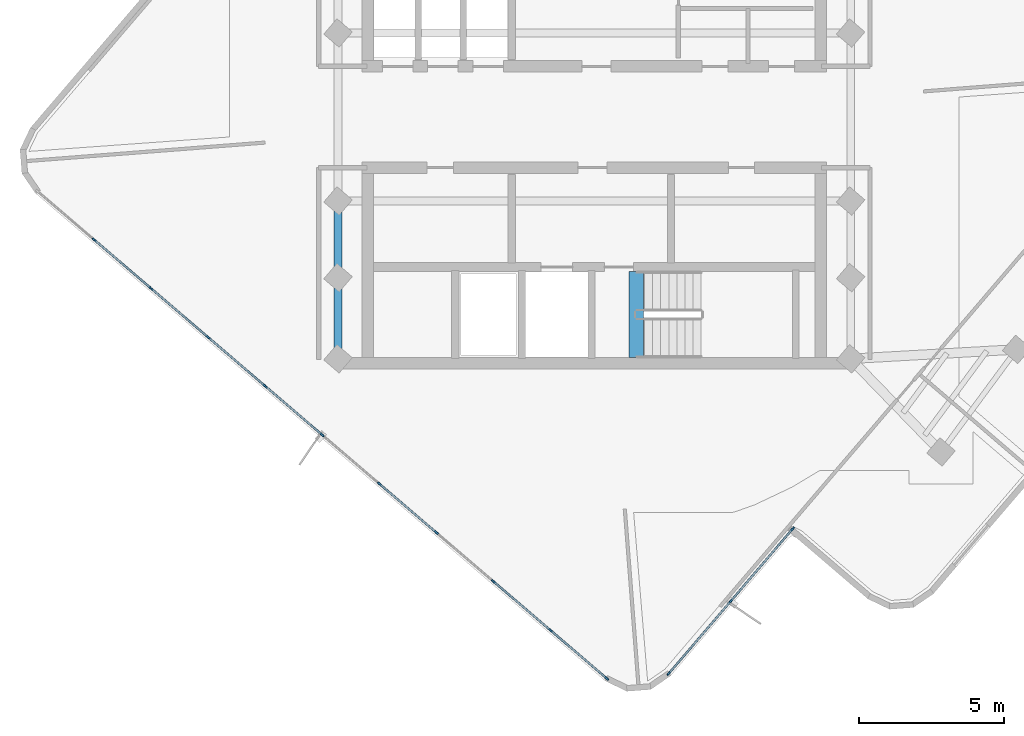
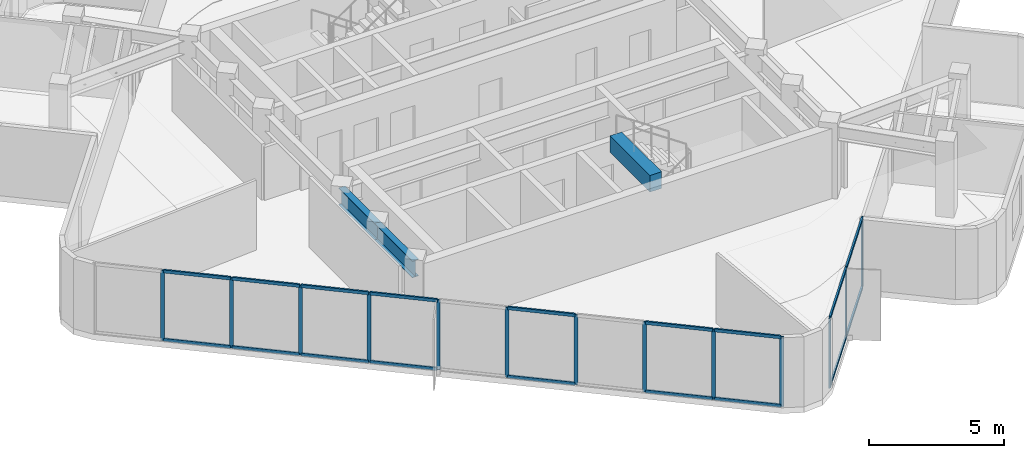
# One storey, part 2 of 11: 31 members, 3 beams, 2 elements without a shape of their own.
"""IFC4 building model written with IfcOpenShell, lengths in metres."""

from ifc_helpers import new_model, si_unit, direction, frame, origin, origin_2d, place, context, subcontext, project, spatial, rectangle, i_section, extrude, material, layer, layer_set, material_profile, profile_set, type_object, element, aggregate, save


model = new_model("IFC4")

# Units and contexts
model_context = context("Model", 3, precision=1e-05, world=origin(), true_north=direction((0.0, 1.0)))
body_context = subcontext(model_context, "Body", "Model", "MODEL_VIEW")
ifc_project = project(units=[si_unit("LENGTHUNIT", "METRE"), si_unit("AREAUNIT", "SQUARE_METRE"), si_unit("VOLUMEUNIT", "CUBIC_METRE"), si_unit("PLANEANGLEUNIT", "RADIAN"), si_unit("MASSUNIT", "GRAM", prefix="KILO")], contexts=[model_context])

# Site, building, storey
site_placement = place(None, origin())
site = spatial("IfcSite", under=ifc_project, at=site_placement, CompositionType="ELEMENT")
building_placement = place(site_placement, origin())
building = spatial("IfcBuilding", under=site, at=building_placement, Name="Solmarez Civic Tower", CompositionType="ELEMENT")
storey_placement = place(building_placement, frame((0.0, 0.0, 250.919921875)))
storey = spatial("IfcBuildingStorey", under=building, at=storey_placement, Name="L67", CompositionType="ELEMENT", Elevation=250.919921875)

# Beams
ifc_material_1 = material(Name="Concrete C50/60", Category="concrete")
ifc_material_profile_1 = material_profile(ifc_material_1, rectangle(XDim=0.5, YDim=0.75, at=origin_2d()), Name="RC500X750")
ifc_profile_set_1 = profile_set([ifc_material_profile_1], Name="Concrete C50/60")
beam_type_1 = type_object("IfcBeamType", Name="BM-PR-RC500X750", PredefinedType="BEAM", material=ifc_profile_set_1)
beam_1_placement = place(storey_placement, frame((1.449951171875, -8.300048828125, 3.052978515625), z_axis=(0.0, 1.0, 0.0), x_axis=(-1.0, 0.0, 0.0)))
element("IfcBeam", 1, at=beam_1_placement, inside=storey, type_object=beam_type_1, Name="L67 South Stair Threshold Beam", PredefinedType="BEAM", context=body_context, shape_type="SweptSolid", body=[
    extrude(rectangle(XDim=0.5, YDim=0.75, at=origin_2d()), origin(), (0.0, 0.0, 1.0), 2.9599609375),
])
ifc_material_2 = material(Name="Steel S355", Category="steel")
ifc_material_profile_2 = material_profile(ifc_material_2, i_section(OverallWidth=0.26708984375, OverallDepth=0.761962890625, WebThickness=0.014404296875, FlangeThickness=0.021484375, at=origin_2d()), Name="W30X116")
ifc_profile_set_2 = profile_set([ifc_material_profile_2], Name="Steel S355")
beam_type_2 = type_object("IfcBeamType", Name="BM-PR-W30X116", PredefinedType="BEAM", material=ifc_profile_set_2)
beam_2_placement = place(storey_placement, frame((-8.85009765625, -8.35009765625, 2.779052734375), z_axis=(0.0, 1.0, 0.0), x_axis=(-1.0, 0.0, 0.0)))
element("IfcBeam", 2, at=beam_2_placement, inside=storey, type_object=beam_type_2, Name="L67 Primary Floor Beam BM-L67-HC12-HC1", PredefinedType="BEAM", context=body_context, shape_type="SweptSolid", body=[
    extrude(i_section(OverallWidth=0.26708984375, OverallDepth=0.761962890625, WebThickness=0.014404296875, FlangeThickness=0.021484375, at=origin_2d()), origin(), (0.0, 0.0, 1.0), 2.800048828125),
])
beam_3_placement = place(storey_placement, frame((-8.85009765625, -5.550048828125, 2.779052734375), z_axis=(0.0, 1.0, 0.0), x_axis=(-1.0, 0.0, 0.0)))
element("IfcBeam", 3, at=beam_3_placement, inside=storey, type_object=beam_type_2, Name="L67 Primary Floor Beam BM-L67-HC1-HC2", PredefinedType="BEAM", context=body_context, shape_type="SweptSolid", body=[
    extrude(i_section(OverallWidth=0.26708984375, OverallDepth=0.761962890625, WebThickness=0.014404296875, FlangeThickness=0.021484375, at=origin_2d()), origin(), (0.0, 0.0, 1.0), 2.650146484375),
])

# Curtain wall, members
ifc_material_3 = material(Name="Bronze Anodised Aluminium EN AW-6063 T6", Category="aluminium")
ifc_layer = layer(ifc_material_3, 0.1650390625)
ifc_layer_set = layer_set([ifc_layer], Name="Bronze Anodised Aluminium EN AW-6063 T6")
curtain_wall_type = type_object("IfcCurtainWallType", Name="CW-SYS-4", PredefinedType="NOTDEFINED", material=ifc_layer_set)
curtain_wall_1_placement = place(storey_placement, origin())
curtain_wall_1 = element("IfcCurtainWall", 4, at=curtain_wall_1_placement, inside=storey, type_object=curtain_wall_type, Name="L67 Stick-Built Curtain Wall 1", PredefinedType="NOTDEFINED")
ifc_material_profile_3 = material_profile(ifc_material_3, rectangle(XDim=0.06005859375, YDim=0.14990234375, at=origin_2d()), Name="CWM-60X150")
ifc_profile_set_3 = profile_set([ifc_material_profile_3], Name="Bronze Anodised Aluminium EN AW-6063 T6")
member_type_1 = type_object("IfcMemberType", Name="CWM-TYPE-4", PredefinedType="MULLION", material=ifc_profile_set_3)
member_1_placement = place(storey_placement, frame((6.848388671875, -14.220703125, 0.0), z_axis=(0.0, 0.0, 1.0), x_axis=(0.759724119615, -0.650245539835, 0.0)))
member_1 = element("IfcMember", 5, at=member_1_placement, type_object=member_type_1, Name="CWS4 mullion 1", PredefinedType="MULLION", context=body_context, shape_type="SweptSolid", body=[
    extrude(rectangle(XDim=0.06005859375, YDim=0.14990234375, at=origin_2d()), origin(), (0.0, 0.0, 1.0), 3.16015625),
])
member_2_placement = place(storey_placement, frame((4.708984375, -16.720458984375, 0.0), z_axis=(0.0, 0.0, 1.0), x_axis=(0.759724119615, -0.650245539835, 0.0)))
member_2 = element("IfcMember", 6, at=member_2_placement, type_object=member_type_1, Name="CWS4 mullion 2", PredefinedType="MULLION", context=body_context, shape_type="SweptSolid", body=[
    extrude(rectangle(XDim=0.06005859375, YDim=0.14990234375, at=origin_2d()), origin(), (0.0, 0.0, 1.0), 3.16015625),
])
member_3_placement = place(storey_placement, frame((2.569580078125, -19.22021484375, 0.0), z_axis=(0.0, 0.0, 1.0), x_axis=(0.759724119615, -0.650245539835, 0.0)))
member_3 = element("IfcMember", 7, at=member_3_placement, type_object=member_type_1, Name="CWS4 mullion 3", PredefinedType="MULLION", context=body_context, shape_type="SweptSolid", body=[
    extrude(rectangle(XDim=0.06005859375, YDim=0.14990234375, at=origin_2d()), origin(), (0.0, 0.0, 1.0), 3.16015625),
])

curtain_wall_2_placement = place(storey_placement, origin())
curtain_wall_2 = element("IfcCurtainWall", 8, at=curtain_wall_2_placement, inside=storey, type_object=curtain_wall_type, Name="L67 Stick-Built Curtain Wall 2", PredefinedType="NOTDEFINED")
member_4_placement = place(storey_placement, frame((0.42822265625, -19.386474609375, 0.0), z_axis=(0.0, 0.0, 1.0), x_axis=(-0.650244780731, -0.759724769329, 0.0)))
member_4 = element("IfcMember", 9, at=member_4_placement, type_object=member_type_1, Name="CWS4 mullion 1", PredefinedType="MULLION", context=body_context, shape_type="SweptSolid", body=[
    extrude(rectangle(XDim=0.06005859375, YDim=0.14990234375, at=origin_2d()), origin(), (0.0, 0.0, 1.0), 3.16015625),
])
member_5_placement = place(storey_placement, frame((-1.518310546875, -17.720458984375, 0.0), z_axis=(0.0, 0.0, 1.0), x_axis=(-0.650244780731, -0.759724769329, 0.0)))
member_5 = element("IfcMember", 10, at=member_5_placement, type_object=member_type_1, Name="CWS4 mullion 2", PredefinedType="MULLION", context=body_context, shape_type="SweptSolid", body=[
    extrude(rectangle(XDim=0.06005859375, YDim=0.14990234375, at=origin_2d()), origin(), (0.0, 0.0, 1.0), 3.16015625),
])
member_6_placement = place(storey_placement, frame((-3.48779296875, -16.034912109375, 0.0), z_axis=(0.0, 0.0, 1.0), x_axis=(-0.650244780731, -0.759724769329, 0.0)))
member_6 = element("IfcMember", 11, at=member_6_placement, type_object=member_type_1, Name="CWS4 mullion 3", PredefinedType="MULLION", context=body_context, shape_type="SweptSolid", body=[
    extrude(rectangle(XDim=0.06005859375, YDim=0.14990234375, at=origin_2d()), origin(), (0.0, 0.0, 1.0), 3.16015625),
])
member_7_placement = place(storey_placement, frame((-5.457275390625, -14.34912109375, 0.0), z_axis=(0.0, 0.0, 1.0), x_axis=(-0.650244780731, -0.759724769329, 0.0)))
member_7 = element("IfcMember", 12, at=member_7_placement, type_object=member_type_1, Name="CWS4 mullion 4", PredefinedType="MULLION", context=body_context, shape_type="SweptSolid", body=[
    extrude(rectangle(XDim=0.06005859375, YDim=0.14990234375, at=origin_2d()), origin(), (0.0, 0.0, 1.0), 3.16015625),
])
member_8_placement = place(storey_placement, frame((-7.426513671875, -12.66357421875, 0.0), z_axis=(0.0, 0.0, 1.0), x_axis=(-0.650244780731, -0.759724769329, 0.0)))
member_8 = element("IfcMember", 13, at=member_8_placement, type_object=member_type_1, Name="CWS4 mullion 5", PredefinedType="MULLION", context=body_context, shape_type="SweptSolid", body=[
    extrude(rectangle(XDim=0.06005859375, YDim=0.14990234375, at=origin_2d()), origin(), (0.0, 0.0, 1.0), 3.16015625),
])
member_9_placement = place(storey_placement, frame((-9.39599609375, -10.97802734375, 0.0), z_axis=(0.0, 0.0, 1.0), x_axis=(-0.650244780731, -0.759724769329, 0.0)))
member_9 = element("IfcMember", 14, at=member_9_placement, type_object=member_type_1, Name="CWS4 mullion 6", PredefinedType="MULLION", context=body_context, shape_type="SweptSolid", body=[
    extrude(rectangle(XDim=0.06005859375, YDim=0.14990234375, at=origin_2d()), origin(), (0.0, 0.0, 1.0), 3.16015625),
])
member_10_placement = place(storey_placement, frame((-11.365478515625, -9.29248046875, 0.0), z_axis=(0.0, 0.0, 1.0), x_axis=(-0.650244780731, -0.759724769329, 0.0)))
member_10 = element("IfcMember", 15, at=member_10_placement, type_object=member_type_1, Name="CWS4 mullion 7", PredefinedType="MULLION", context=body_context, shape_type="SweptSolid", body=[
    extrude(rectangle(XDim=0.06005859375, YDim=0.14990234375, at=origin_2d()), origin(), (0.0, 0.0, 1.0), 3.16015625),
])
member_11_placement = place(storey_placement, frame((-13.334716796875, -7.606689453125, 0.0), z_axis=(0.0, 0.0, 1.0), x_axis=(-0.650244780731, -0.759724769329, 0.0)))
member_11 = element("IfcMember", 16, at=member_11_placement, type_object=member_type_1, Name="CWS4 mullion 8", PredefinedType="MULLION", context=body_context, shape_type="SweptSolid", body=[
    extrude(rectangle(XDim=0.06005859375, YDim=0.14990234375, at=origin_2d()), origin(), (0.0, 0.0, 1.0), 3.16015625),
])
member_12_placement = place(storey_placement, frame((-15.30419921875, -5.921142578125, 0.0), z_axis=(0.0, 0.0, 1.0), x_axis=(-0.650244780731, -0.759724769329, 0.0)))
member_12 = element("IfcMember", 17, at=member_12_placement, type_object=member_type_1, Name="CWS4 mullion 9", PredefinedType="MULLION", context=body_context, shape_type="SweptSolid", body=[
    extrude(rectangle(XDim=0.06005859375, YDim=0.14990234375, at=origin_2d()), origin(), (0.0, 0.0, 1.0), 3.16015625),
])
member_13_placement = place(storey_placement, frame((-17.273681640625, -4.235595703125, 0.0), z_axis=(0.0, 0.0, 1.0), x_axis=(-0.650244780731, -0.759724769329, 0.0)))
member_13 = element("IfcMember", 18, at=member_13_placement, type_object=member_type_1, Name="CWS4 mullion 10", PredefinedType="MULLION", context=body_context, shape_type="SweptSolid", body=[
    extrude(rectangle(XDim=0.06005859375, YDim=0.14990234375, at=origin_2d()), origin(), (0.0, 0.0, 1.0), 3.16015625),
])

# Member
ifc_material_profile_4 = material_profile(ifc_material_3, rectangle(XDim=0.070068359375, YDim=0.139892578125, at=origin_2d()), Name="CWT-70X140")
ifc_profile_set_4 = profile_set([ifc_material_profile_4], Name="Bronze Anodised Aluminium EN AW-6063 T6")
member_type_2 = type_object("IfcMemberType", Name="CWT-TYPE-1", PredefinedType="USERDEFINED", material=ifc_profile_set_4)
member_14_placement = place(storey_placement, frame((6.8291015625, -14.24365234375, 0.03515625), z_axis=(-0.650268401025, -0.759704552197, 0.0), x_axis=(0.759704552197, -0.650268401025, 0.0)))
member_14 = element("IfcMember", 19, at=member_14_placement, type_object=member_type_2, Name="CWS4 transom 1.1", ObjectType="TRANSOM", PredefinedType="USERDEFINED", context=body_context, shape_type="SweptSolid", body=[
    extrude(rectangle(XDim=0.070068359375, YDim=0.139892578125, at=origin_2d()), origin(), (0.0, 0.0, 1.0), 3.230224609375),
])

member_15_placement = place(storey_placement, frame((6.8291015625, -14.24365234375, 3.125), z_axis=(-0.650268401025, -0.759704552197, 0.0), x_axis=(0.759704552197, -0.650268401025, 0.0)))
member_15 = element("IfcMember", 20, at=member_15_placement, type_object=member_type_2, Name="CWS4 transom 1.2", ObjectType="TRANSOM", PredefinedType="USERDEFINED", context=body_context, shape_type="SweptSolid", body=[
    extrude(rectangle(XDim=0.070068359375, YDim=0.139892578125, at=origin_2d()), origin(), (0.0, 0.0, 1.0), 3.230224609375),
])

member_16_placement = place(storey_placement, frame((4.689453125, -16.743408203125, 0.03515625), z_axis=(-0.650224778206, -0.759741888938, 0.0), x_axis=(0.759741888938, -0.650224778206, 0.0)))
member_16 = element("IfcMember", 21, at=member_16_placement, type_object=member_type_2, Name="CWS4 transom 2.1", ObjectType="TRANSOM", PredefinedType="USERDEFINED", context=body_context, shape_type="SweptSolid", body=[
    extrude(rectangle(XDim=0.070068359375, YDim=0.139892578125, at=origin_2d()), origin(), (0.0, 0.0, 1.0), 3.230224609375),
])

member_17_placement = place(storey_placement, frame((4.689453125, -16.743408203125, 3.125), z_axis=(-0.650224778206, -0.759741888938, 0.0), x_axis=(0.759741888938, -0.650224778206, 0.0)))
member_17 = element("IfcMember", 22, at=member_17_placement, type_object=member_type_2, Name="CWS4 transom 2.2", ObjectType="TRANSOM", PredefinedType="USERDEFINED", context=body_context, shape_type="SweptSolid", body=[
    extrude(rectangle(XDim=0.070068359375, YDim=0.139892578125, at=origin_2d()), origin(), (0.0, 0.0, 1.0), 3.230224609375),
])

aggregate(curtain_wall_1, [member_1, member_2, member_3, member_14, member_15, member_16, member_17])

member_18_placement = place(storey_placement, frame((0.405517578125, -19.366943359375, 0.03515625), z_axis=(-0.759766021549, 0.65019657989, 0.0), x_axis=(-0.65019657989, -0.759766021549, 0.0)))
member_18 = element("IfcMember", 23, at=member_18_placement, type_object=member_type_2, Name="CWS4 transom 1.1", ObjectType="TRANSOM", PredefinedType="USERDEFINED", context=body_context, shape_type="SweptSolid", body=[
    extrude(rectangle(XDim=0.070068359375, YDim=0.139892578125, at=origin_2d()), origin(), (0.0, 0.0, 1.0), 2.502197265625),
])

member_19_placement = place(storey_placement, frame((0.405517578125, -19.366943359375, 3.125), z_axis=(-0.759766021549, 0.65019657989, 0.0), x_axis=(-0.65019657989, -0.759766021549, 0.0)))
member_19 = element("IfcMember", 24, at=member_19_placement, type_object=member_type_2, Name="CWS4 transom 1.2", ObjectType="TRANSOM", PredefinedType="USERDEFINED", context=body_context, shape_type="SweptSolid", body=[
    extrude(rectangle(XDim=0.070068359375, YDim=0.139892578125, at=origin_2d()), origin(), (0.0, 0.0, 1.0), 2.502197265625),
])

member_20_placement = place(storey_placement, frame((-1.541259765625, -17.700927734375, 0.03515625), z_axis=(-0.75969877174, 0.650275154237, 0.0), x_axis=(-0.650275154237, -0.75969877174, 0.0)))
member_20 = element("IfcMember", 25, at=member_20_placement, type_object=member_type_2, Name="CWS4 transom 2.1", ObjectType="TRANSOM", PredefinedType="USERDEFINED", context=body_context, shape_type="SweptSolid", body=[
    extrude(rectangle(XDim=0.070068359375, YDim=0.139892578125, at=origin_2d()), origin(), (0.0, 0.0, 1.0), 2.532470703125),
])

member_21_placement = place(storey_placement, frame((-1.541259765625, -17.700927734375, 3.125), z_axis=(-0.75969877174, 0.650275154237, 0.0), x_axis=(-0.650275154237, -0.75969877174, 0.0)))
member_21 = element("IfcMember", 26, at=member_21_placement, type_object=member_type_2, Name="CWS4 transom 2.2", ObjectType="TRANSOM", PredefinedType="USERDEFINED", context=body_context, shape_type="SweptSolid", body=[
    extrude(rectangle(XDim=0.070068359375, YDim=0.139892578125, at=origin_2d()), origin(), (0.0, 0.0, 1.0), 2.532470703125),
])

member_22_placement = place(storey_placement, frame((-5.47998046875, -14.32958984375, 0.03515625), z_axis=(-0.75974639975, 0.650219507603, 0.0), x_axis=(-0.650219507603, -0.75974639975, 0.0)))
member_22 = element("IfcMember", 27, at=member_22_placement, type_object=member_type_2, Name="CWS4 transom 4.1", ObjectType="TRANSOM", PredefinedType="USERDEFINED", context=body_context, shape_type="SweptSolid", body=[
    extrude(rectangle(XDim=0.070068359375, YDim=0.139892578125, at=origin_2d()), origin(), (0.0, 0.0, 1.0), 2.5322265625),
])

member_23_placement = place(storey_placement, frame((-5.47998046875, -14.32958984375, 3.125), z_axis=(-0.75974639975, 0.650219507603, 0.0), x_axis=(-0.650219507603, -0.75974639975, 0.0)))
member_23 = element("IfcMember", 28, at=member_23_placement, type_object=member_type_2, Name="CWS4 transom 4.2", ObjectType="TRANSOM", PredefinedType="USERDEFINED", context=body_context, shape_type="SweptSolid", body=[
    extrude(rectangle(XDim=0.070068359375, YDim=0.139892578125, at=origin_2d()), origin(), (0.0, 0.0, 1.0), 2.5322265625),
])

member_24_placement = place(storey_placement, frame((-9.418701171875, -10.95849609375, 0.03515625), z_axis=(-0.75974639975, 0.650219507603, 0.0), x_axis=(-0.650219507603, -0.75974639975, 0.0)))
member_24 = element("IfcMember", 29, at=member_24_placement, type_object=member_type_2, Name="CWS4 transom 6.1", ObjectType="TRANSOM", PredefinedType="USERDEFINED", context=body_context, shape_type="SweptSolid", body=[
    extrude(rectangle(XDim=0.070068359375, YDim=0.139892578125, at=origin_2d()), origin(), (0.0, 0.0, 1.0), 2.5322265625),
])

member_25_placement = place(storey_placement, frame((-9.418701171875, -10.95849609375, 3.125), z_axis=(-0.75974639975, 0.650219507603, 0.0), x_axis=(-0.650219507603, -0.75974639975, 0.0)))
member_25 = element("IfcMember", 30, at=member_25_placement, type_object=member_type_2, Name="CWS4 transom 6.2", ObjectType="TRANSOM", PredefinedType="USERDEFINED", context=body_context, shape_type="SweptSolid", body=[
    extrude(rectangle(XDim=0.070068359375, YDim=0.139892578125, at=origin_2d()), origin(), (0.0, 0.0, 1.0), 2.5322265625),
])

member_26_placement = place(storey_placement, frame((-11.38818359375, -9.27294921875, 0.03515625), z_axis=(-0.75969877174, 0.650275154237, 0.0), x_axis=(-0.650275154237, -0.75969877174, 0.0)))
member_26 = element("IfcMember", 31, at=member_26_placement, type_object=member_type_2, Name="CWS4 transom 7.1", ObjectType="TRANSOM", PredefinedType="USERDEFINED", context=body_context, shape_type="SweptSolid", body=[
    extrude(rectangle(XDim=0.070068359375, YDim=0.139892578125, at=origin_2d()), origin(), (0.0, 0.0, 1.0), 2.532470703125),
])

member_27_placement = place(storey_placement, frame((-11.38818359375, -9.27294921875, 3.125), z_axis=(-0.75969877174, 0.650275154237, 0.0), x_axis=(-0.650275154237, -0.75969877174, 0.0)))
member_27 = element("IfcMember", 32, at=member_27_placement, type_object=member_type_2, Name="CWS4 transom 7.2", ObjectType="TRANSOM", PredefinedType="USERDEFINED", context=body_context, shape_type="SweptSolid", body=[
    extrude(rectangle(XDim=0.070068359375, YDim=0.139892578125, at=origin_2d()), origin(), (0.0, 0.0, 1.0), 2.532470703125),
])

member_28_placement = place(storey_placement, frame((-13.357666015625, -7.58740234375, 0.03515625), z_axis=(-0.75969877174, 0.650275154237, 0.0), x_axis=(-0.650275154237, -0.75969877174, 0.0)))
member_28 = element("IfcMember", 33, at=member_28_placement, type_object=member_type_2, Name="CWS4 transom 8.1", ObjectType="TRANSOM", PredefinedType="USERDEFINED", context=body_context, shape_type="SweptSolid", body=[
    extrude(rectangle(XDim=0.070068359375, YDim=0.139892578125, at=origin_2d()), origin(), (0.0, 0.0, 1.0), 2.532470703125),
])

member_29_placement = place(storey_placement, frame((-13.357666015625, -7.58740234375, 3.125), z_axis=(-0.75969877174, 0.650275154237, 0.0), x_axis=(-0.650275154237, -0.75969877174, 0.0)))
member_29 = element("IfcMember", 34, at=member_29_placement, type_object=member_type_2, Name="CWS4 transom 8.2", ObjectType="TRANSOM", PredefinedType="USERDEFINED", context=body_context, shape_type="SweptSolid", body=[
    extrude(rectangle(XDim=0.070068359375, YDim=0.139892578125, at=origin_2d()), origin(), (0.0, 0.0, 1.0), 2.532470703125),
])

member_30_placement = place(storey_placement, frame((-15.326904296875, -5.901611328125, 0.03515625), z_axis=(-0.75974639975, 0.650219507603, 0.0), x_axis=(-0.650219507603, -0.75974639975, 0.0)))
member_30 = element("IfcMember", 35, at=member_30_placement, type_object=member_type_2, Name="CWS4 transom 9.1", ObjectType="TRANSOM", PredefinedType="USERDEFINED", context=body_context, shape_type="SweptSolid", body=[
    extrude(rectangle(XDim=0.070068359375, YDim=0.139892578125, at=origin_2d()), origin(), (0.0, 0.0, 1.0), 2.5322265625),
])

member_31_placement = place(storey_placement, frame((-15.326904296875, -5.901611328125, 3.125), z_axis=(-0.75974639975, 0.650219507603, 0.0), x_axis=(-0.650219507603, -0.75974639975, 0.0)))
member_31 = element("IfcMember", 36, at=member_31_placement, type_object=member_type_2, Name="CWS4 transom 9.2", ObjectType="TRANSOM", PredefinedType="USERDEFINED", context=body_context, shape_type="SweptSolid", body=[
    extrude(rectangle(XDim=0.070068359375, YDim=0.139892578125, at=origin_2d()), origin(), (0.0, 0.0, 1.0), 2.5322265625),
])

aggregate(curtain_wall_2, [member_4, member_5, member_6, member_7, member_8, member_9, member_10, member_11, member_12, member_13, member_18, member_19, member_20, member_21, member_22, member_23, member_24, member_25, member_26, member_27, member_28, member_29, member_30, member_31])

save(model, "model.ifc")
